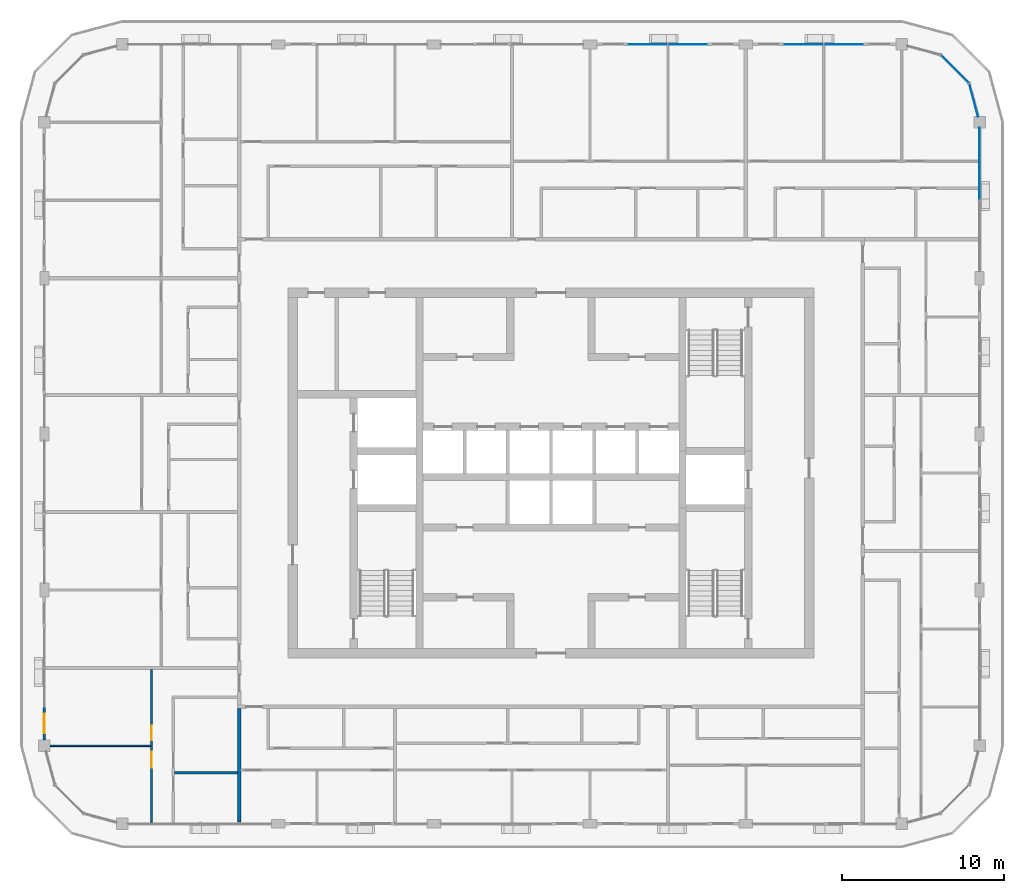
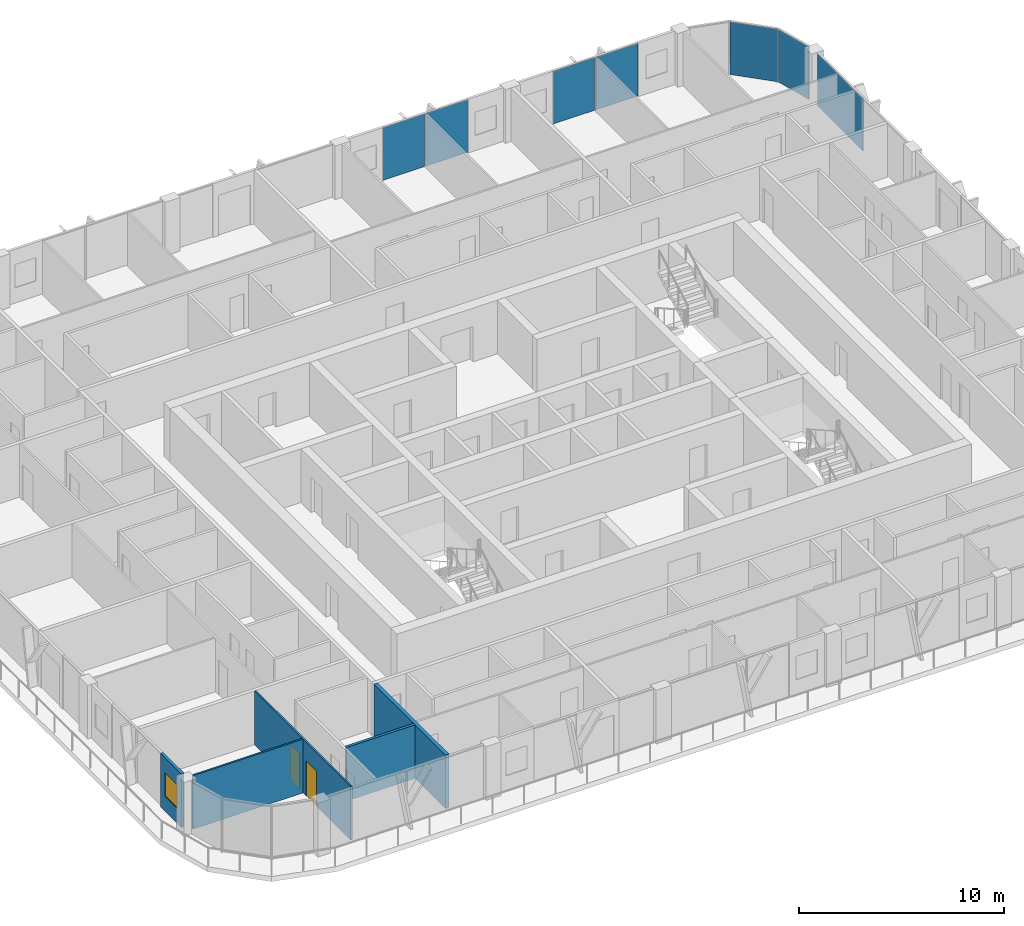
# One storey, part 8 of 21: 7 plates, 5 walls, 2 doors, 1 window, 3 openings, 4 elements without a shape of their own.
"""IFC4 building model written with IfcOpenShell, lengths in metres."""

from ifc_helpers import new_model, si_unit, direction, frame, frame_2d, origin, origin_2d, place, context, subcontext, project, spatial, rectangle, extrude, material, layer, layer_set, type_object, element, fill, aggregate, save


model = new_model("IFC4")

# Units and contexts
model_context = context("Model", 3, precision=1e-05, world=origin(), true_north=direction((0.0, 1.0)))
body_context = subcontext(model_context, "Body", "Model", "MODEL_VIEW")
ifc_project = project(units=[si_unit("LENGTHUNIT", "METRE"), si_unit("AREAUNIT", "SQUARE_METRE"), si_unit("VOLUMEUNIT", "CUBIC_METRE"), si_unit("PLANEANGLEUNIT", "RADIAN"), si_unit("MASSUNIT", "GRAM", prefix="KILO")], contexts=[model_context])

# Site, building, storey
site_placement = place(None, origin())
site = spatial("IfcSite", under=ifc_project, at=site_placement, CompositionType="ELEMENT")
building_placement = place(site_placement, origin())
building = spatial("IfcBuilding", under=site, at=building_placement, Name="Madar Terraces", CompositionType="ELEMENT")
storey_placement = place(building_placement, frame((0.0, 0.0, 252.699951171875)))
storey = spatial("IfcBuildingStorey", under=building, at=storey_placement, Name="L66", CompositionType="ELEMENT", Elevation=252.699951171875)

# Curtain wall, plate
ifc_material_1 = material(Name="Glass, ceramic frit dark grey, with black aluminium frame", Category="aluminium")
ifc_layer_1 = layer(ifc_material_1, 0.199951171875)
ifc_layer_set_1 = layer_set([ifc_layer_1], Name="Facade curtain wall, fritted glass")
curtain_wall_type = type_object("IfcCurtainWallType", Name="Facade curtain wall, fritted glass", PredefinedType="NOTDEFINED", material=ifc_layer_set_1)
curtain_wall_1_placement = place(storey_placement, origin())
curtain_wall_1 = element("IfcCurtainWall", 1, at=curtain_wall_1_placement, inside=storey, type_object=curtain_wall_type, Name="Outer skin curtain wall east bay 4", PredefinedType="NOTDEFINED")
ifc_material_2 = material(Name="Glass, ceramic frit dark grey", Category="glass")
ifc_layer_2 = layer(ifc_material_2, 0.028076171875)
ifc_layer_set_2 = layer_set([ifc_layer_2], Name="Facade glass panel 28")
plate_type = type_object("IfcPlateType", Name="Facade glass panel 28", PredefinedType="CURTAIN_PANEL", material=ifc_layer_set_2)
plate_1_placement = place(storey_placement, frame((57.60009765625, 45.43994140625, 0.0), z_axis=(0.0, 0.0, 1.0), x_axis=(0.0, 1.0, 0.0)))
plate_1 = element("IfcPlate", 2, at=plate_1_placement, type_object=plate_type, Name="Panel 2", PredefinedType="CURTAIN_PANEL", context=body_context, shape_type="SweptSolid", body=[
    extrude(rectangle(XDim=4.419921875, YDim=0.028076171875, at=origin_2d()), origin(), (0.0, 0.0, 1.0), 3.139892578125),
])
aggregate(curtain_wall_1, [plate_1])

# Curtain wall, plates
curtain_wall_2_placement = place(storey_placement, origin())
curtain_wall_2 = element("IfcCurtainWall", 3, at=curtain_wall_2_placement, inside=storey, type_object=curtain_wall_type, Name="Outer skin curtain wall north bay 1", PredefinedType="NOTDEFINED")
plate_2_placement = place(storey_placement, frame((49.215087890625, 52.800048828125, 0.0), z_axis=(0.0, 0.0, 1.0), x_axis=(-1.0, 0.0, 0.0)))
plate_2 = element("IfcPlate", 4, at=plate_2_placement, type_object=plate_type, Name="Panel 1", PredefinedType="CURTAIN_PANEL", context=body_context, shape_type="SweptSolid", body=[
    extrude(rectangle(XDim=2.3701171875, YDim=0.028076171875, at=origin_2d()), origin(), (0.0, 0.0, 1.0), 3.139892578125),
])
plate_3_placement = place(storey_placement, frame((46.784912109375, 52.800048828125, 0.0), z_axis=(0.0, 0.0, 1.0), x_axis=(-1.0, 0.0, 0.0)))
plate_3 = element("IfcPlate", 5, at=plate_3_placement, type_object=plate_type, Name="Panel 2", PredefinedType="CURTAIN_PANEL", context=body_context, shape_type="SweptSolid", body=[
    extrude(rectangle(XDim=2.3701171875, YDim=0.028076171875, at=origin_2d()), origin(), (0.0, 0.0, 1.0), 3.139892578125),
])
aggregate(curtain_wall_2, [plate_2, plate_3])

curtain_wall_3_placement = place(storey_placement, origin())
curtain_wall_3 = element("IfcCurtainWall", 6, at=curtain_wall_3_placement, inside=storey, type_object=curtain_wall_type, Name="Outer skin curtain wall north bay 2", PredefinedType="NOTDEFINED")
plate_4_placement = place(storey_placement, frame((39.614990234375, 52.800048828125, 0.0), z_axis=(0.0, 0.0, 1.0), x_axis=(-1.0, 0.0, 0.0)))
plate_4 = element("IfcPlate", 7, at=plate_4_placement, type_object=plate_type, Name="Panel 1", PredefinedType="CURTAIN_PANEL", context=body_context, shape_type="SweptSolid", body=[
    extrude(rectangle(XDim=2.3701171875, YDim=0.028076171875, at=origin_2d()), origin(), (0.0, 0.0, 1.0), 3.139892578125),
])
plate_5_placement = place(storey_placement, frame((37.18505859375, 52.800048828125, 0.0), z_axis=(0.0, 0.0, 1.0), x_axis=(-1.0, 0.0, 0.0)))
plate_5 = element("IfcPlate", 8, at=plate_5_placement, type_object=plate_type, Name="Panel 2", PredefinedType="CURTAIN_PANEL", context=body_context, shape_type="SweptSolid", body=[
    extrude(rectangle(XDim=2.3701171875, YDim=0.028076171875, at=origin_2d()), origin(), (0.0, 0.0, 1.0), 3.139892578125),
])
aggregate(curtain_wall_3, [plate_4, plate_5])

curtain_wall_4_placement = place(storey_placement, origin())
curtain_wall_4 = element("IfcCurtainWall", 9, at=curtain_wall_4_placement, inside=storey, type_object=curtain_wall_type, Name="Outer skin curtain wall north-east corner", PredefinedType="NOTDEFINED")
plate_6_placement = place(storey_placement, frame((57.2353515625, 49.360595703125, 0.0), z_axis=(0.0, 0.0, 1.0), x_axis=(-0.258819021888, 0.965925832509, 0.0)))
plate_6 = element("IfcPlate", 10, at=plate_6_placement, type_object=plate_type, Name="Panel 1", PredefinedType="CURTAIN_PANEL", context=body_context, shape_type="SweptSolid", body=[
    extrude(rectangle(XDim=2.09228515625, YDim=0.028076171875, at=origin_2d()), origin(), (0.0, 0.0, 1.0), 3.139892578125),
])
plate_7_placement = place(storey_placement, frame((56.078369140625, 51.278564453125, 0.0), z_axis=(0.0, 0.0, 1.0), x_axis=(-0.707106781187, 0.707106781187, 0.0)))
plate_7 = element("IfcPlate", 11, at=plate_7_placement, type_object=plate_type, Name="Panel 2", PredefinedType="CURTAIN_PANEL", context=body_context, shape_type="SweptSolid", body=[
    extrude(rectangle(XDim=2.424560546875, YDim=0.028076171875, at=origin_2d()), origin(), (0.0, 0.0, 1.0), 3.139892578125),
])
aggregate(curtain_wall_4, [plate_6, plate_7])

# Wall, opening, window
ifc_material_3 = material(Name="Aluminium composite panel, black, over insulated backing", Category="aluminium")
ifc_layer_3 = layer(ifc_material_3, 0.14990234375)
ifc_layer_set_3 = layer_set([ifc_layer_3], Name="Facade bay panel 150")
wall_type_1 = type_object("IfcWallType", Name="Facade bay panel 150", PredefinedType="SOLIDWALL", material=ifc_layer_set_3)
wall_1_placement = place(storey_placement, frame((0.0, 12.0, 0.0), z_axis=(0.0, 0.0, 1.0), x_axis=(0.0, -1.0, 0.0)))
wall_1 = element("IfcWall", 12, at=wall_1_placement, inside=storey, type_object=wall_type_1, Name="Facade bay panel", PredefinedType="SOLIDWALL", context=body_context, shape_type="SweptSolid", body=[
    extrude(rectangle(XDim=2.050048828125, YDim=0.14990234375, at=frame_2d((1.02490234375, 0.0))), origin(), (0.0, 0.0, 1.0), 3.199951171875),
])
opening_1_placement = place(wall_1_placement, frame((0.425048828125, 0.0, 0.89990234375)))
opening_1 = element("IfcOpeningElement", 13, at=opening_1_placement, cuts=wall_1, Name="Opening W1", PredefinedType="OPENING", context=body_context, shape_type="SweptSolid", body=[
    extrude(rectangle(XDim=1.199951171875, YDim=1.39990234375, at=frame_2d((0.60009765625, 0.699951171875))), frame((0.0, 0.0849609375, 0.0), z_axis=(0.0, -1.0, 0.0), x_axis=(1.0, 0.0, 0.0)), (0.0, 0.0, 1.0), 0.169921875),
])
ifc_material_4 = material(Name="Glass, clear, with black aluminium frame", Category="aluminium")
window_type = type_object("IfcWindowType", Name="Vent window 1200 x 1400", PartitioningType="SINGLE_PANEL", PredefinedType="WINDOW", material=ifc_material_4)
window_placement = place(opening_1_placement, origin())
window = element("IfcWindow", 14, at=window_placement, inside=storey, type_object=window_type, Name="Operable vent window", OverallHeight=1.39990234375, OverallWidth=1.199951171875, PartitioningType="SINGLE_PANEL", PredefinedType="WINDOW", context=body_context, shape_type="SweptSolid", body=[
    extrude(rectangle(XDim=1.199951171875, YDim=1.39990234375, at=frame_2d((0.60009765625, 0.699951171875))), frame((0.0, 0.030029296875, 0.0), z_axis=(0.0, -1.0, 0.0), x_axis=(1.0, 0.0, 0.0)), (0.0, 0.0, 1.0), 0.06005859375),
])
fill(opening_1, window)

# Wall
ifc_material_5 = material(Name="Gypsum board on steel studs", Category="steel")
ifc_layer_4 = layer(ifc_material_5, 0.10009765625)
ifc_layer_set_4 = layer_set([ifc_layer_4], Name="Flat partition 100")
wall_type_2 = type_object("IfcWallType", Name="Flat partition 100", PredefinedType="PARTITIONING", material=ifc_layer_set_4)
wall_2_placement = place(storey_placement, frame((6.550048828125, 9.60009765625, 0.0), z_axis=(0.0, 0.0, 1.0), x_axis=(-1.0, 0.0, 0.0)))
element("IfcWall", 15, at=wall_2_placement, inside=storey, type_object=wall_type_2, Name="Flat partition 100", PredefinedType="PARTITIONING", context=body_context, shape_type="SweptSolid", body=[
    extrude(rectangle(XDim=6.199951171875, YDim=0.10009765625, at=frame_2d((3.10009765625, 0.0))), origin(), (0.0, 0.0, 1.0), 3.199951171875),
])

# Wall, openings, doors
wall_3_placement = place(storey_placement, frame((6.60009765625, 4.89990234375, 0.0), z_axis=(0.0, 0.0, 1.0), x_axis=(0.0, 1.0, 0.0)))
wall_3 = element("IfcWall", 16, at=wall_3_placement, inside=storey, type_object=wall_type_2, Name="Flat partition 100", PredefinedType="PARTITIONING", context=body_context, shape_type="SweptSolid", body=[
    extrude(rectangle(XDim=9.400146484375, YDim=0.10009765625, at=frame_2d((4.7001953125, 0.0))), origin(), (0.0, 0.0, 1.0), 3.199951171875),
])
opening_2_placement = place(wall_3_placement, frame((5.050048828125, 0.0, 0.0)))
opening_2 = element("IfcOpeningElement", 17, at=opening_2_placement, cuts=wall_3, Name="Opening D2", PredefinedType="OPENING", context=body_context, shape_type="SweptSolid", body=[
    extrude(rectangle(XDim=0.89990234375, YDim=2.10009765625, at=frame_2d((0.449951171875, 1.050048828125))), frame((0.0, 0.06005859375, 0.0), z_axis=(0.0, -1.0, 0.0), x_axis=(1.0, 0.0, 0.0)), (0.0, 0.0, 1.0), 0.1201171875),
])
opening_3_placement = place(wall_3_placement, frame((3.35009765625, 0.0, 0.0)))
opening_3 = element("IfcOpeningElement", 18, at=opening_3_placement, cuts=wall_3, Name="Opening D3", PredefinedType="OPENING", context=body_context, shape_type="SweptSolid", body=[
    extrude(rectangle(XDim=1.0, YDim=2.10009765625, at=frame_2d((0.5, 1.050048828125))), frame((0.0, 0.06005859375, 0.0), z_axis=(0.0, -1.0, 0.0), x_axis=(1.0, 0.0, 0.0)), (0.0, 0.0, 1.0), 0.1201171875),
])
ifc_material_6 = material(Name="Timber door leaf", Category="wood")
door_type_1 = type_object("IfcDoorType", Name="Flat living room door 1000", OperationType="NOTDEFINED", PredefinedType="DOOR", material=ifc_material_6)
door_1_placement = place(opening_3_placement, origin())
door_1 = element("IfcDoor", 19, at=door_1_placement, inside=storey, type_object=door_type_1, Name="Flat living room door 1000", OperationType="SINGLE_SWING_RIGHT", OverallHeight=2.10009765625, OverallWidth=1.0, PredefinedType="DOOR", context=body_context, shape_type="SweptSolid", body=[
    extrude(rectangle(XDim=1.0, YDim=2.10009765625, at=frame_2d((0.5, 1.050048828125))), frame((0.0, 0.02490234375, 0.0), z_axis=(0.0, -1.0, 0.0), x_axis=(1.0, 0.0, 0.0)), (0.0, 0.0, 1.0), 0.050048828125),
])
fill(opening_3, door_1)
ifc_material_7 = material(Name="Timber door leaf", Category="wood")
door_type_2 = type_object("IfcDoorType", Name="Flat room door 900", OperationType="NOTDEFINED", PredefinedType="DOOR", material=ifc_material_7)
door_2_placement = place(opening_2_placement, origin())
door_2 = element("IfcDoor", 20, at=door_2_placement, inside=storey, type_object=door_type_2, Name="Flat room door 900", OperationType="SINGLE_SWING_LEFT", OverallHeight=2.10009765625, OverallWidth=0.89990234375, PredefinedType="DOOR", context=body_context, shape_type="SweptSolid", body=[
    extrude(rectangle(XDim=0.89990234375, YDim=2.10009765625, at=frame_2d((0.449951171875, 1.050048828125))), frame((0.0, 0.02490234375, 0.0), z_axis=(0.0, -1.0, 0.0), x_axis=(1.0, 0.0, 0.0)), (0.0, 0.0, 1.0), 0.050048828125),
])
fill(opening_2, door_2)

# Walls
ifc_material_8 = material(Name="Lightweight blockwork", Category="masonry")
ifc_layer_5 = layer(ifc_material_8, 0.199951171875)
ifc_layer_set_5 = layer_set([ifc_layer_5], Name="Flat party and entrance wall 200")
wall_type_3 = type_object("IfcWallType", Name="Flat party and entrance wall 200", PredefinedType="PARTITIONING", material=ifc_layer_set_5)
wall_4_placement = place(storey_placement, frame((12.0, 4.89990234375, 0.0), z_axis=(0.0, 0.0, 1.0), x_axis=(0.0, 1.0, 0.0)))
element("IfcWall", 21, at=wall_4_placement, inside=storey, type_object=wall_type_3, Name="Flat party and entrance wall 200", PredefinedType="PARTITIONING", context=body_context, shape_type="SweptSolid", body=[
    extrude(rectangle(XDim=7.0, YDim=0.199951171875, at=frame_2d((3.5, 0.0))), origin(), (0.0, 0.0, 1.0), 3.199951171875),
])
ifc_material_9 = material(Name="Lightweight blockwork", Category="masonry")
ifc_layer_6 = layer(ifc_material_9, 0.14990234375)
ifc_layer_set_6 = layer_set([ifc_layer_6], Name="Flat wet-room partition 150")
wall_type_4 = type_object("IfcWallType", Name="Flat wet-room partition 150", PredefinedType="PARTITIONING", material=ifc_layer_set_6)
wall_5_placement = place(storey_placement, frame((11.89990234375, 7.949951171875, 0.0), z_axis=(0.0, 0.0, 1.0), x_axis=(-1.0, 0.0, 0.0)))
element("IfcWall", 22, at=wall_5_placement, inside=storey, type_object=wall_type_4, Name="Flat wet-room partition 150", PredefinedType="PARTITIONING", context=body_context, shape_type="SweptSolid", body=[
    extrude(rectangle(XDim=3.875, YDim=0.14990234375, at=frame_2d((1.9375, 0.0))), origin(), (0.0, 0.0, 1.0), 3.199951171875),
])

save(model, "model.ifc")
